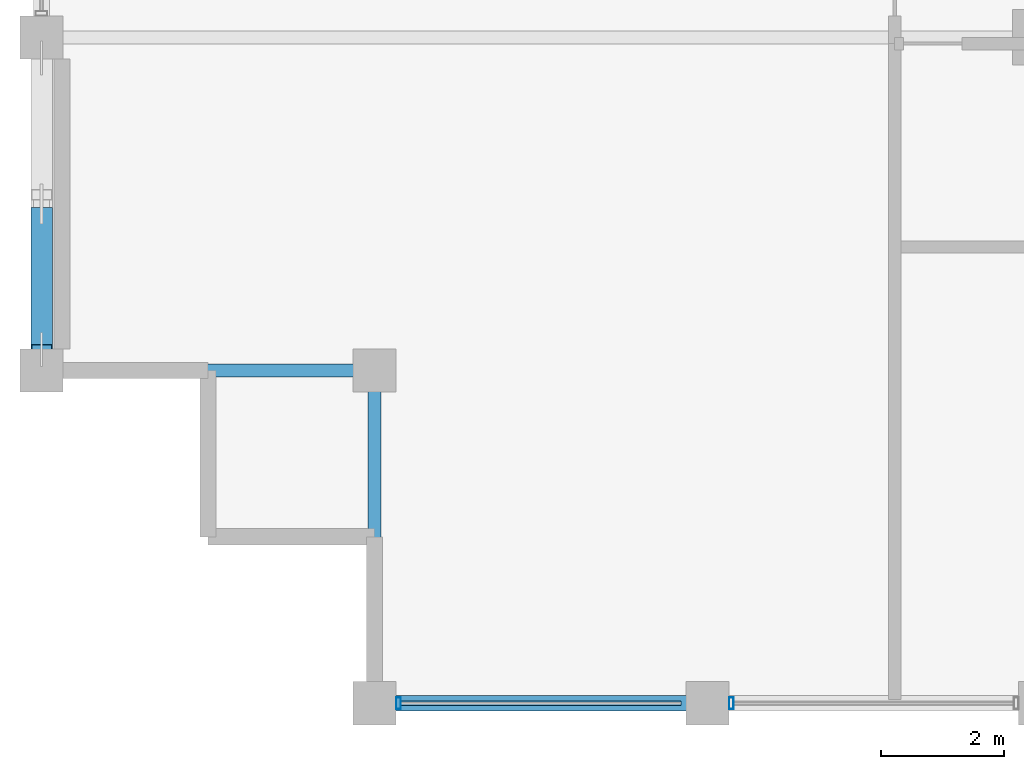
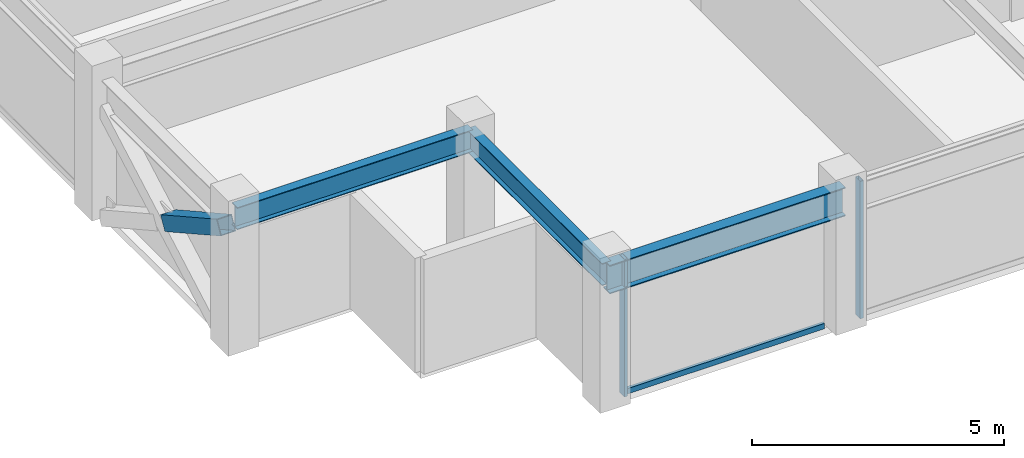
# One storey, part 2 of 31: 4 members, 3 beams, 1 element without a shape of its own.
"""IFC4 building model written with IfcOpenShell, lengths in metres."""

import ifcopenshell
import ifcopenshell.guid

model = None  # the IFC model being written
_history = None  # IfcOwnerHistory: only IFC2X3 demands one
_inside = {}  # id of a spatial element -> (the spatial element, [elements in it])
_under = {}  # id of a project, library or spatial element -> (it, [spatial elements below it])
_declared = {}  # id of a project -> (the project, [libraries it declares])
_typed = {}  # id of a type object -> (the type object, [elements of that type])
_made_of = {}  # id of a material, layer set ... -> (it, [elements and type objects made of it])


def new_model(schema):
    """Start an empty IFC model of exactly this schema.

    Asked for "IFC4X3", IfcOpenShell would pick the latest addendum, in which some entities
    have other attributes; the version numbers below select the first issue.
    IFC2X3 requires an IfcOwnerHistory on every rooted entity: one is made here for all.
    """
    global model, _history
    if schema == "IFC4X3":
        model = ifcopenshell.file(schema_version=(4, 3, 0, 0))
    else:
        model = ifcopenshell.file(schema=schema)
    _inside.clear()
    _under.clear()
    _declared.clear()
    _typed.clear()
    _made_of.clear()
    _history = None
    if model.schema == "IFC2X3":
        org = make("IfcOrganization", Name="unknown")
        user = make(
            "IfcPersonAndOrganization",
            ThePerson=make("IfcPerson", FamilyName="unknown"),
            TheOrganization=org,
        )
        app = make(
            "IfcApplication",
            ApplicationDeveloper=org,
            Version="unknown",
            ApplicationFullName="unknown",
            ApplicationIdentifier="unknown",
        )
        _history = make(
            "IfcOwnerHistory",
            OwningUser=user,
            OwningApplication=app,
            ChangeAction="ADDED",
            CreationDate=0,
        )
    return model


def make(cls, **values):
    """One entity of the class cls with the attributes given. An attribute that is None is left unset."""
    return model.create_entity(
        cls, **{name: value for name, value in values.items() if value is not None}
    )


def rooted(cls, **values):
    """An entity with a GlobalId (a new one), such as an element, a storey or a relation."""
    return make(cls, GlobalId=ifcopenshell.guid.new(), OwnerHistory=_history, **values)


def si_unit(unit_type, name, prefix=None):
    """IfcSIUnit, for example si_unit("LENGTHUNIT", "METRE", prefix="MILLI")."""
    return make("IfcSIUnit", UnitType=unit_type, Prefix=prefix, Name=name)


def assignment(units):
    """IfcUnitAssignment: the units of a project."""
    return None if units is None else make("IfcUnitAssignment", Units=units)


def point(xyz):
    """IfcCartesianPoint."""
    return None if xyz is None else make("IfcCartesianPoint", Coordinates=xyz)


def direction(xyz):
    """IfcDirection."""
    return None if xyz is None else make("IfcDirection", DirectionRatios=xyz)


def frame(location, z_axis=None, x_axis=None):
    """IfcAxis2Placement3D, a coordinate frame: its origin and axes. An axis left out is left unset."""
    return make(
        "IfcAxis2Placement3D",
        Location=point(location),
        Axis=direction(z_axis),
        RefDirection=direction(x_axis),
    )


def frame_2d(location, x_axis=None):
    """IfcAxis2Placement2D, a coordinate frame in the plane: its origin and x axis."""
    return make(
        "IfcAxis2Placement2D", Location=point(location), RefDirection=direction(x_axis)
    )


def origin():
    """The frame at (0, 0, 0) with its axes left unset."""
    return frame((0.0, 0.0, 0.0))


def origin_2d():
    """The frame at (0, 0) in the plane with its x axis left unset."""
    return frame_2d((0.0, 0.0))


def place(relative_to, where):
    """IfcLocalPlacement: puts the frame where relative to a parent placement (None: the world)."""
    return make(
        "IfcLocalPlacement", PlacementRelTo=relative_to, RelativePlacement=where
    )


def context(
    kind, dimensions, precision=None, world=None, true_north=None, identifier=None
):
    """IfcGeometricRepresentationContext, for example the 3D "Model" context."""
    return make(
        "IfcGeometricRepresentationContext",
        ContextIdentifier=identifier,
        ContextType=kind,
        CoordinateSpaceDimension=dimensions,
        Precision=precision,
        WorldCoordinateSystem=world,
        TrueNorth=true_north,
    )


def subcontext(parent, identifier, kind, view, scale=None):
    """IfcGeometricRepresentationSubContext, for example "Body" below "Model"."""
    return make(
        "IfcGeometricRepresentationSubContext",
        ContextIdentifier=identifier,
        ContextType=kind,
        ParentContext=parent,
        TargetScale=scale,
        TargetView=view,
    )


def project(units=None, contexts=None):
    """IfcProject with its units and contexts."""
    return rooted(
        "IfcProject",
        Name="project",
        RepresentationContexts=contexts,
        UnitsInContext=assignment(units),
    )


def spatial(cls, under=None, at=None, **own):
    """A site, building, storey or space (cls), placed at a placement, below another one or the project."""
    s = rooted(cls, ObjectPlacement=at, **own)
    if under is not None:
        _under.setdefault(under.id(), (under, []))[1].append(s)
    return s


def profile(cls, at=None, kind="AREA", **sizes):
    """A parametric profile (cls). Its sizes go by their IFC names, for example OverallWidth=200.0."""
    return make(cls, ProfileType=kind, Position=at, **sizes)


def hollow_rectangle(**sizes):
    """IfcRectangleHollowProfileDef."""
    return profile("IfcRectangleHollowProfileDef", **sizes)


def i_section(**sizes):
    """IfcIShapeProfileDef."""
    return profile("IfcIShapeProfileDef", **sizes)


def extrude(swept, where, along, depth):
    """IfcExtrudedAreaSolid: the profile swept, set in the frame where, extruded along a direction by depth."""
    return make(
        "IfcExtrudedAreaSolid",
        SweptArea=swept,
        Position=where,
        ExtrudedDirection=direction(along),
        Depth=depth,
    )


def shape(context_of_items, identifier, shape_type, items):
    """IfcShapeRepresentation: the items that make up one representation, for example the "Body"."""
    return make(
        "IfcShapeRepresentation",
        ContextOfItems=context_of_items,
        RepresentationIdentifier=identifier,
        RepresentationType=shape_type,
        Items=items,
    )


def material(Name=None, Category=None):
    """IfcMaterial."""
    return make("IfcMaterial", Name=Name, Category=Category)


def layer(
    of_material, thickness, ventilated=None, Name=None, Category=None, Priority=None
):
    """IfcMaterialLayer: one layer of a wall or slab, of a material (None: an air gap)."""
    return make(
        "IfcMaterialLayer",
        Material=of_material,
        LayerThickness=thickness,
        IsVentilated=ventilated,
        Name=Name,
        Category=Category,
        Priority=Priority,
    )


def layer_set(layers, Name=None):
    """IfcMaterialLayerSet."""
    return make("IfcMaterialLayerSet", MaterialLayers=layers, LayerSetName=Name)


def material_profile(
    of_material, cross_section, Name=None, Category=None, Priority=None
):
    """IfcMaterialProfile: a cross section and its material."""
    return make(
        "IfcMaterialProfile",
        Name=Name,
        Material=of_material,
        Profile=cross_section,
        Priority=Priority,
        Category=Category,
    )


def profile_set(profiles, Name=None, composite=None):
    """IfcMaterialProfileSet."""
    return make(
        "IfcMaterialProfileSet",
        Name=Name,
        MaterialProfiles=profiles,
        CompositeProfile=composite,
    )


def made_of(thing, what):
    """Note that an element or type object is made of a material, layer set ...; save() writes the relation."""
    if what is not None:
        _made_of.setdefault(what.id(), (what, []))[1].append(thing)
    return thing


def type_object(cls, material=None, **own):
    """A type object (cls), such as IfcWallType, which elements share."""
    return made_of(rooted(cls, **own), material)


def element(
    cls,
    number,
    at=None,
    inside=None,
    cuts=None,
    type_object=None,
    material=None,
    context=None,
    identifier="Body",
    shape_type=None,
    held_by="IfcProductDefinitionShape",
    body=None,
    shapes=None,
    **own,
):
    """One element of the class cls, such as IfcWall. Its Tag is "e" and its number.

    at: its placement. inside: the storey or other place that contains it. cuts: it is an
    opening in that element (IfcRelVoidsElement). A single representation is given by context,
    identifier, shape_type and body (its items); several are given by shapes. held_by: the class
    of the entity that holds the representations. save() writes the other relations.
    """
    e = rooted(cls, Tag="e%d" % number, ObjectPlacement=at, **own)
    if body is not None:
        shapes = [shape(context, identifier, shape_type, body)]
    if shapes is not None:
        e.Representation = make(held_by, Representations=shapes)
    if inside is not None:
        _inside.setdefault(inside.id(), (inside, []))[1].append(e)
    if cuts is not None:
        rooted(
            "IfcRelVoidsElement", RelatingBuildingElement=cuts, RelatedOpeningElement=e
        )
    if type_object is not None:
        _typed.setdefault(type_object.id(), (type_object, []))[1].append(e)
    return made_of(e, material)


def aggregate(whole, parts):
    """IfcRelAggregates: a whole, such as a stair, and the parts it consists of."""
    return rooted("IfcRelAggregates", RelatingObject=whole, RelatedObjects=parts)


def save(model, path):
    """Write the relations noted so far, then the file.

    IfcRelAggregates (storeys below a building ...), IfcRelContainedInSpatialStructure (elements
    in a storey), IfcRelDefinesByType, IfcRelAssociatesMaterial and IfcRelDeclares: one each for
    every whole, place, type object, material and project.
    """
    for whole, parts in _under.values():
        aggregate(whole, parts)
    for where, things in _inside.values():
        rooted(
            "IfcRelContainedInSpatialStructure",
            RelatedElements=things,
            RelatingStructure=where,
        )
    for kind, things in _typed.values():
        rooted("IfcRelDefinesByType", RelatedObjects=things, RelatingType=kind)
    for what, things in _made_of.values():
        rooted("IfcRelAssociatesMaterial", RelatedObjects=things, RelatingMaterial=what)
    for by, libraries in _declared.values():
        rooted("IfcRelDeclares", RelatingContext=by, RelatedDefinitions=libraries)
    model.write(path)


model = new_model("IFC4")

# Units and contexts
model_context = context("Model", 3, precision=1e-05, world=origin(), true_north=direction((0.0, 1.0)))
body_context = subcontext(model_context, "Body", "Model", "MODEL_VIEW")
ifc_project = project(units=[si_unit("LENGTHUNIT", "METRE"), si_unit("AREAUNIT", "SQUARE_METRE"), si_unit("VOLUMEUNIT", "CUBIC_METRE"), si_unit("PLANEANGLEUNIT", "RADIAN"), si_unit("MASSUNIT", "GRAM", prefix="KILO")], contexts=[model_context])

# Site, building, storey
site_placement = place(None, origin())
site = spatial("IfcSite", under=ifc_project, at=site_placement, CompositionType="ELEMENT")
building_placement = place(site_placement, origin())
building = spatial("IfcBuilding", under=site, at=building_placement, Name="Surkhivell Harbour Commons", CompositionType="ELEMENT")
storey_placement = place(building_placement, frame((0.0, 0.0, 333.75)))
storey = spatial("IfcBuildingStorey", under=building, at=storey_placement, Name="L87", CompositionType="ELEMENT", Elevation=333.75)

# Beams
ifc_material_1 = material(Name="Steel S355", Category="steel")
ifc_material_profile_1 = material_profile(ifc_material_1, i_section(OverallWidth=0.2099609375, OverallDepth=0.537109375, WebThickness=0.0107421875, FlangeThickness=0.017333984375, at=origin_2d()), Name="UB533x210x101")
ifc_profile_set_1 = profile_set([ifc_material_profile_1], Name="Steel S355")
beam_type_1 = type_object("IfcBeamType", Name="BM-GRD-533B", PredefinedType="BEAM", material=ifc_profile_set_1)
beam_1_placement = place(storey_placement, frame((-27.0, -16.199951171875, 3.0615234375), z_axis=(1.0, 0.0, 0.0), x_axis=(0.0, 1.0, 0.0)))
element("IfcBeam", 1, at=beam_1_placement, inside=storey, type_object=beam_type_1, Name="L87 Floor Girder (-27.0,-16.2)", PredefinedType="BEAM", context=body_context, shape_type="SweptSolid", body=[
    extrude(i_section(OverallWidth=0.2099609375, OverallDepth=0.537109375, WebThickness=0.0107421875, FlangeThickness=0.017333984375, at=origin_2d()), origin(), (0.0, 0.0, 1.0), 5.39990234375),
])
beam_2_placement = place(storey_placement, frame((-21.60009765625, -21.60009765625, 3.0615234375), z_axis=(0.0, 1.0, 0.0), x_axis=(-1.0, 0.0, 0.0)))
element("IfcBeam", 2, at=beam_2_placement, inside=storey, type_object=beam_type_1, Name="L87 Floor Girder (-21.6,-21.6)", PredefinedType="BEAM", context=body_context, shape_type="SweptSolid", body=[
    extrude(i_section(OverallWidth=0.2099609375, OverallDepth=0.537109375, WebThickness=0.0107421875, FlangeThickness=0.017333984375, at=origin_2d()), origin(), (0.0, 0.0, 1.0), 5.400146484375),
])
ifc_material_profile_2 = material_profile(ifc_material_1, i_section(OverallWidth=0.256103515625, OverallDepth=0.693115234375, WebThickness=0.014404296875, FlangeThickness=0.023681640625, at=origin_2d()), Name="UB686x254x170")
ifc_profile_set_2 = profile_set([ifc_material_profile_2], Name="Steel S355")
beam_type_2 = type_object("IfcBeamType", Name="BM-SPN-686", PredefinedType="SPANDREL", material=ifc_profile_set_2)
beam_3_placement = place(storey_placement, frame((-21.60009765625, -21.60009765625, 2.9833984375), z_axis=(1.0, 0.0, 0.0), x_axis=(0.0, 1.0, 0.0)))
element("IfcBeam", 3, at=beam_3_placement, inside=storey, type_object=beam_type_2, Name="L87 Tube Spandrel (-21.6,-21.6)", PredefinedType="SPANDREL", context=body_context, shape_type="SweptSolid", body=[
    extrude(i_section(OverallWidth=0.256103515625, OverallDepth=0.693115234375, WebThickness=0.014404296875, FlangeThickness=0.023681640625, at=origin_2d()), origin(), (0.0, 0.0, 1.0), 5.400146484375),
])

# Curtain wall, members
ifc_material_2 = material(Name="Anodised pale-metal aluminium and insulated glazing", Category="aluminium")
ifc_layer = layer(ifc_material_2, 0.175048828125)
ifc_layer_set = layer_set([ifc_layer], Name="Anodised pale-metal aluminium and insulated glazing")
curtain_wall_type = type_object("IfcCurtainWallType", Name="CW-SYS-Z4", PredefinedType="NOTDEFINED", material=ifc_layer_set)
curtain_wall_placement = place(storey_placement, origin())
curtain_wall = element("IfcCurtainWall", 4, at=curtain_wall_placement, inside=storey, type_object=curtain_wall_type, Name="L87 Curtain Wall CW-L87-E00S1", PredefinedType="NOTDEFINED")
ifc_material_3 = material(Name="Anodised pale-metal aluminium alloy 6063-T6", Category="aluminium")
ifc_material_profile_3 = material_profile(ifc_material_3, hollow_rectangle(XDim=0.074951171875, YDim=0.18994140625, WallThickness=0.00390625, at=origin_2d()), Name="ALU-MULL-75x190")
ifc_profile_set_3 = profile_set([ifc_material_profile_3], Name="Anodised pale-metal aluminium alloy 6063-T6")
member_type_1 = type_object("IfcMemberType", Name="CWM-190", PredefinedType="MULLION", material=ifc_profile_set_3)
member_1_placement = place(storey_placement, frame((-21.21044921875, -21.60009765625, 0.0), z_axis=(0.0, 0.0, 1.0), x_axis=(1.0, 0.0, 0.0)))
member_1 = element("IfcMember", 5, at=member_1_placement, type_object=member_type_1, Name="CW-Z4 mullion 1", PredefinedType="MULLION", context=body_context, shape_type="SweptSolid", body=[
    extrude(hollow_rectangle(XDim=0.074951171875, YDim=0.18994140625, WallThickness=0.00390625, at=origin_2d()), origin(), (0.0, 0.0, 1.0), 3.330078125),
])
member_2_placement = place(storey_placement, frame((-15.810546875, -21.60009765625, 0.0), z_axis=(0.0, 0.0, 1.0), x_axis=(1.0, 0.0, 0.0)))
member_2 = element("IfcMember", 6, at=member_2_placement, type_object=member_type_1, Name="CW-Z4 mullion 2", PredefinedType="MULLION", context=body_context, shape_type="SweptSolid", body=[
    extrude(hollow_rectangle(XDim=0.074951171875, YDim=0.18994140625, WallThickness=0.00390625, at=origin_2d()), origin(), (0.0, 0.0, 1.0), 3.330078125),
])
ifc_material_4 = material(Name="Champagne anodised aluminium alloy 6063-T6", Category="aluminium")
ifc_material_profile_4 = material_profile(ifc_material_4, hollow_rectangle(XDim=0.070068359375, YDim=0.1298828125, WallThickness=0.00341796875, at=origin_2d()), Name="ALU-TRAN-70x130")
ifc_profile_set_4 = profile_set([ifc_material_profile_4], Name="Champagne anodised aluminium alloy 6063-T6")
member_type_2 = type_object("IfcMemberType", Name="CWT-130", PredefinedType="USERDEFINED", material=ifc_profile_set_4)
member_3_placement = place(storey_placement, frame((-21.173095703125, -21.60009765625, 0.06494140625), z_axis=(1.0, 0.0, 0.0), x_axis=(0.0, 1.0, 0.0)))
member_3 = element("IfcMember", 7, at=member_3_placement, type_object=member_type_2, Name="CW-Z4 transom 1.1", ObjectType="TRANSOM", PredefinedType="USERDEFINED", context=body_context, shape_type="SweptSolid", body=[
    extrude(hollow_rectangle(XDim=0.070068359375, YDim=0.1298828125, WallThickness=0.00341796875, at=origin_2d()), origin(), (0.0, 0.0, 1.0), 4.546142578125),
])
aggregate(curtain_wall, [member_1, member_3, member_2])

# Member
ifc_material_profile_5 = material_profile(ifc_material_1, hollow_rectangle(XDim=0.35009765625, YDim=0.35009765625, WallThickness=0.01611328125, at=origin_2d()), Name="SHS350x350x16")
ifc_profile_set_5 = profile_set([ifc_material_profile_5], Name="Steel S355")
member_type_3 = type_object("IfcMemberType", Name="MEM-BRC-SHS350", PredefinedType="BRACE", material=ifc_profile_set_5)
member_4_placement = place(storey_placement, frame((-27.0, -13.646728515625, 1.40625), z_axis=(0.0, -0.873739641, 0.486393914173), x_axis=(1.0, 0.0, 0.0)))
element("IfcMember", 8, at=member_4_placement, inside=storey, type_object=member_type_3, Name="L87 Perimeter Mega-Brace MB- 12", PredefinedType="BRACE", context=body_context, shape_type="SweptSolid", body=[
    extrude(hollow_rectangle(XDim=0.35009765625, YDim=0.35009765625, WallThickness=0.01611328125, at=origin_2d()), origin(), (0.0, 0.0, 1.0), 2.538818359375),
])

save(model, "model.ifc")
